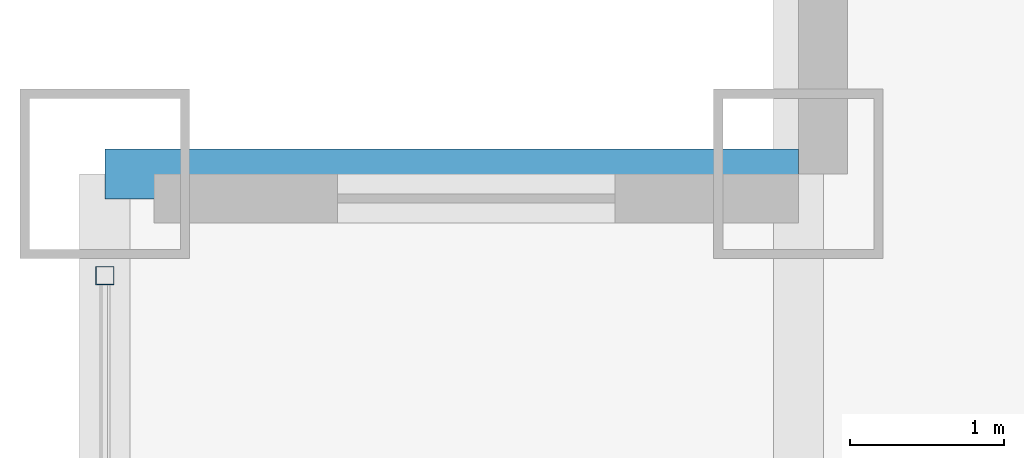
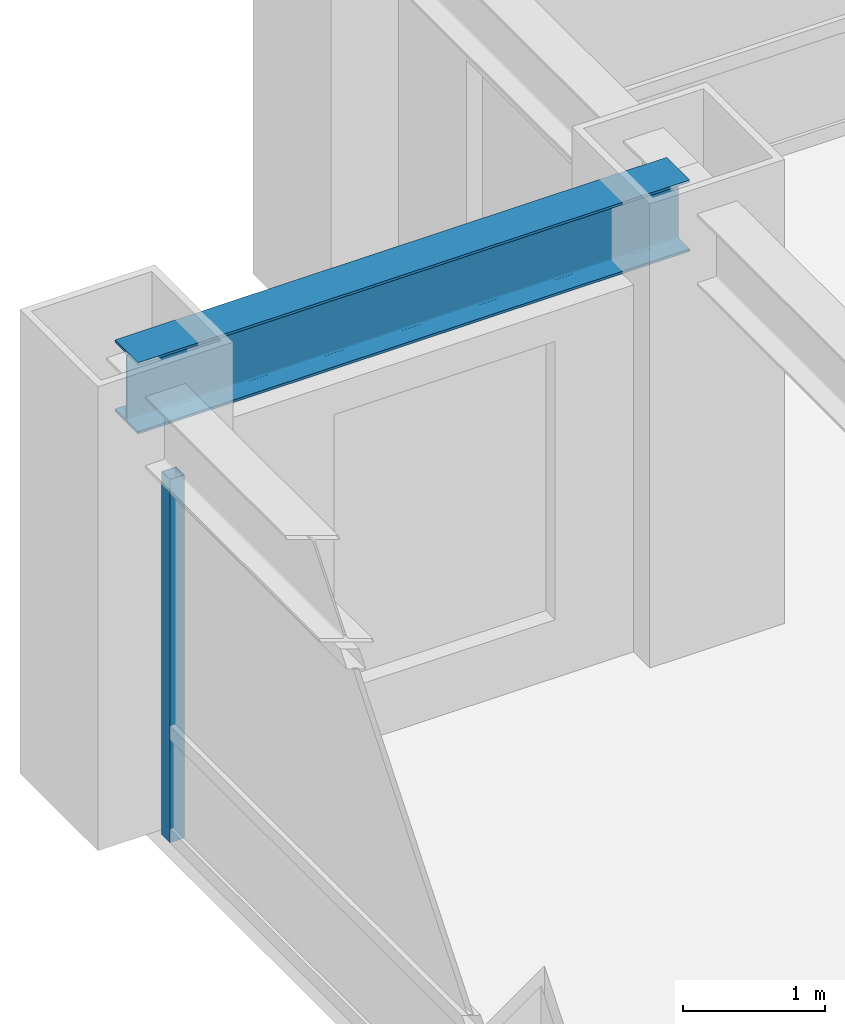
# One storey, part 12 of 24: 1 beam, 1 member, 1 element without a shape of its own.
"""IFC4 building model written with IfcOpenShell, lengths in metres."""

from ifc_helpers import new_model, si_unit, direction, frame, origin, origin_2d, place, context, subcontext, project, spatial, hollow_rectangle, i_section, extrude, source, transform, mapped, material, material_profile, profile_set, type_object, element, aggregate, save


model = new_model("IFC4")

# Units and contexts
model_context = context("Model", 3, precision=1e-05, world=origin(), true_north=direction((0.0, 1.0)))
body_context = subcontext(model_context, "Body", "Model", "MODEL_VIEW")
ifc_project = project(units=[si_unit("LENGTHUNIT", "METRE"), si_unit("AREAUNIT", "SQUARE_METRE"), si_unit("VOLUMEUNIT", "CUBIC_METRE"), si_unit("PLANEANGLEUNIT", "RADIAN"), si_unit("MASSUNIT", "GRAM", prefix="KILO")], contexts=[model_context])

# Site, building, storey
site_placement = place(None, origin())
site = spatial("IfcSite", under=ifc_project, at=site_placement, CompositionType="ELEMENT")
building_placement = place(site_placement, origin())
building = spatial("IfcBuilding", under=site, at=building_placement, Name="Khorayat Bourse Tower", CompositionType="ELEMENT")
storey_placement = place(building_placement, frame((0.0, 0.0, 167.10009765625)))
storey = spatial("IfcBuildingStorey", under=building, at=storey_placement, Name="L38", CompositionType="ELEMENT", Elevation=167.10009765625)

# Beam
ifc_material_1 = material(Name="Steel ASTM A992 Grade 50", Category="steel")
ifc_material_profile_1 = material_profile(ifc_material_1, i_section(OverallWidth=0.324951171875, OverallDepth=0.615966796875, WebThickness=0.013916015625, FlangeThickness=0.021484375, FilletRadius=0.01611328125, at=origin_2d()), Name="W610X174")
ifc_profile_set_1 = profile_set([ifc_material_profile_1], Name="Steel ASTM A992 Grade 50")
beam_type = type_object("IfcBeamType", Name="BM-SPAN-610", PredefinedType="SPANDREL", material=ifc_profile_set_1)
shared_shape_1 = source(origin(), body_context, "Body", "SweptSolid", [
    extrude(i_section(OverallWidth=0.324951171875, OverallDepth=0.615966796875, WebThickness=0.013916015625, FlangeThickness=0.021484375, FilletRadius=0.01611328125, at=origin_2d()), origin(), (0.0, 0.0, 1.0), 4.5),
])
beam_placement = place(storey_placement, frame((-30.0, 25.5, 3.471923828125), z_axis=(1.0, 0.0, 0.0), x_axis=(0.0, 1.0, 0.0)))
element("IfcBeam", 1, at=beam_placement, inside=storey, type_object=beam_type, Name="L38 BM-SPAN-610 BM-L38-SPN-053", PredefinedType="SPANDREL", context=body_context, shape_type="MappedRepresentation", body=[
    mapped(shared_shape_1, transform((0.0, 0.0, 0.0), scale=1.0)),
])

# Curtain wall, member
ifc_material_2 = material(Name="Aluminium EN AW-6063 T6", Category="aluminium")
curtain_wall_type = type_object("IfcCurtainWallType", Name="CW-SYS-03", PredefinedType="NOTDEFINED", material=ifc_material_2)
curtain_wall_placement = place(storey_placement, origin())
curtain_wall = element("IfcCurtainWall", 2, at=curtain_wall_placement, inside=storey, type_object=curtain_wall_type, Name="L38 Curtain Wall CW-L38-W1", PredefinedType="NOTDEFINED")
ifc_material_profile_2 = material_profile(ifc_material_2, hollow_rectangle(XDim=0.1201171875, YDim=0.1201171875, WallThickness=0.0048828125, at=origin_2d()), Name="ALU 120x120x5")
ifc_profile_set_2 = profile_set([ifc_material_profile_2], Name="Aluminium EN AW-6063 T6")
member_type = type_object("IfcMemberType", Name="CWM-VERT-120", PredefinedType="MULLION", material=ifc_profile_set_2)
shared_shape_2 = source(origin(), body_context, "Body", "SweptSolid", [
    extrude(hollow_rectangle(XDim=0.1201171875, YDim=0.1201171875, WallThickness=0.0048828125, at=origin_2d()), origin(), (0.0, 0.0, 1.0), 3.1298828125),
])
member_placement = place(storey_placement, frame((-30.0, 24.840087890625, 0.0), z_axis=(0.0, 0.0, 1.0), x_axis=(-1.0, 0.0, 0.0)))
member = element("IfcMember", 3, at=member_placement, type_object=member_type, Name="CW-L38-W1 Vertical Mullion 3", PredefinedType="MULLION", context=body_context, shape_type="MappedRepresentation", body=[
    mapped(shared_shape_2, transform((0.0, 0.0, 0.0), scale=1.0)),
])
aggregate(curtain_wall, [member])

save(model, "model.ifc")
